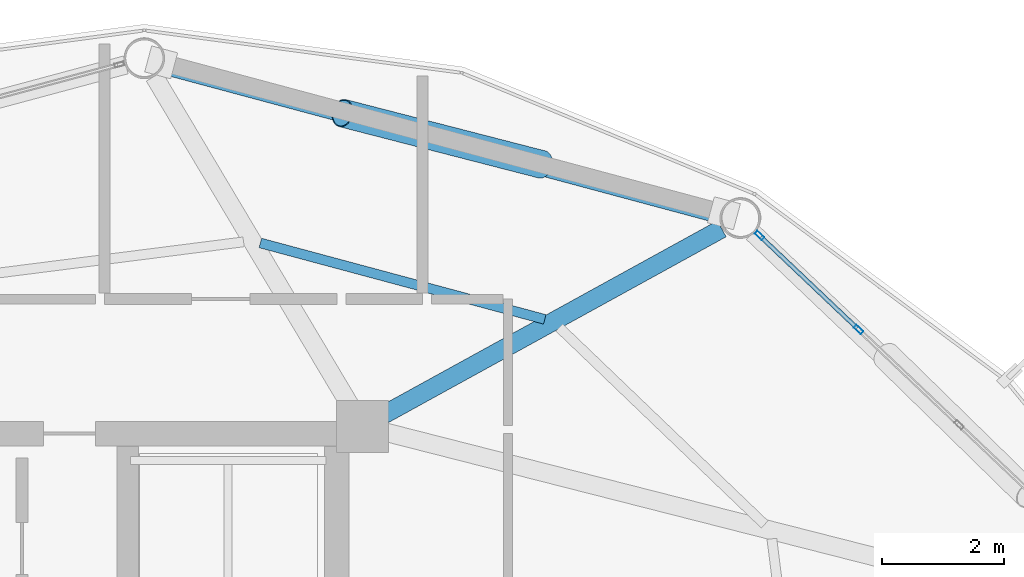
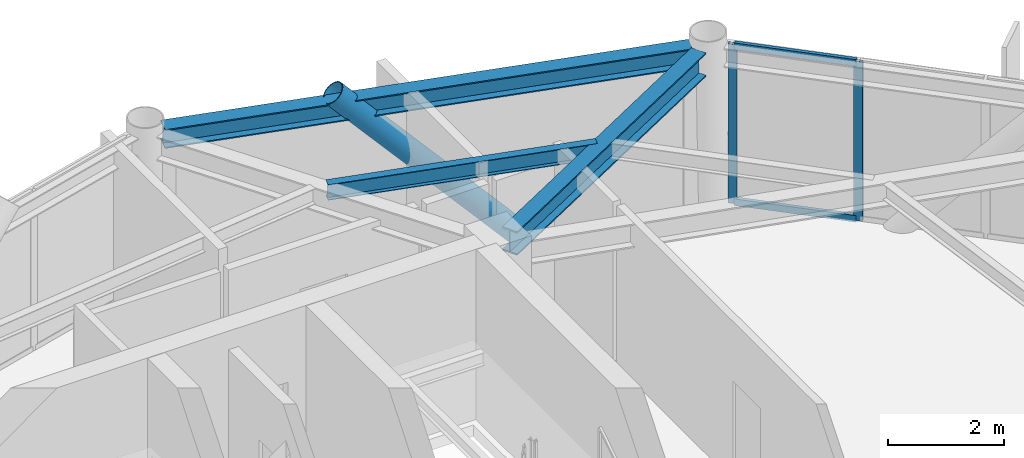
# One storey, part 20 of 28: 5 members, 3 beams, 1 element without a shape of its own.
"""IFC4 building model written with IfcOpenShell, lengths in metres."""

from ifc_helpers import new_model, si_unit, direction, frame, origin, origin_2d, place, context, subcontext, project, spatial, hollow_rectangle, hollow_circle, i_section, extrude, material, layer, layer_set, material_profile, profile_set, type_object, element, aggregate, save


model = new_model("IFC4")

# Units and contexts
model_context = context("Model", 3, precision=1e-05, world=origin(), true_north=direction((0.0, 1.0)))
body_context = subcontext(model_context, "Body", "Model", "MODEL_VIEW")
ifc_project = project(units=[si_unit("LENGTHUNIT", "METRE"), si_unit("AREAUNIT", "SQUARE_METRE"), si_unit("VOLUMEUNIT", "CUBIC_METRE"), si_unit("PLANEANGLEUNIT", "RADIAN"), si_unit("MASSUNIT", "GRAM", prefix="KILO")], contexts=[model_context])

# Site, building, storey
site_placement = place(None, origin())
site = spatial("IfcSite", under=ifc_project, at=site_placement, CompositionType="ELEMENT")
building_placement = place(site_placement, origin())
building = spatial("IfcBuilding", under=site, at=building_placement, Name="Varnakorn Sky Granary", CompositionType="ELEMENT")
storey_placement = place(building_placement, frame((0.0, 0.0, 186.0)))
storey = spatial("IfcBuildingStorey", under=building, at=storey_placement, Name="L46", CompositionType="ELEMENT", Elevation=186.0)

# Beams
ifc_material_1 = material(Name="Steel S355JR", Category="steel")
ifc_material_profile_1 = material_profile(ifc_material_1, i_section(OverallWidth=0.300048828125, OverallDepth=0.5, WebThickness=0.014404296875, FlangeThickness=0.028076171875, at=origin_2d()), Name="HE 500 B")
ifc_profile_set_1 = profile_set([ifc_material_profile_1], Name="Steel S355JR")
beam_type_1 = type_object("IfcBeamType", Name="BM-RAD-Z4", PredefinedType="BEAM", material=ifc_profile_set_1)
beam_1_placement = place(storey_placement, frame((8.77490234375, 12.815185546875, 3.110107421875), z_axis=(0.876178276554, 0.481987165487, 0.0), x_axis=(-0.481987165487, 0.876178276554, 0.0)))
element("IfcBeam", 1, at=beam_1_placement, inside=storey, type_object=beam_type_1, Name="Radial Floor Girder RG03 L46", PredefinedType="BEAM", context=body_context, shape_type="SweptSolid", body=[
    extrude(i_section(OverallWidth=0.300048828125, OverallDepth=0.5, WebThickness=0.014404296875, FlangeThickness=0.028076171875, at=origin_2d()), origin(), (0.0, 0.0, 1.0), 6.30126953125),
])
ifc_material_profile_2 = material_profile(ifc_material_1, i_section(OverallWidth=0.159912109375, OverallDepth=0.330078125, WebThickness=0.007568359375, FlangeThickness=0.011474609375, at=origin_2d()), Name="IPE 330")
ifc_profile_set_2 = profile_set([ifc_material_profile_2], Name="Steel S355JR")
beam_type_2 = type_object("IfcBeamType", Name="BM-SEC-Z4", PredefinedType="BEAM", material=ifc_profile_set_2)
beam_2_placement = place(storey_placement, frame((11.400146484375, 14.3701171875, 3.195068359375), z_axis=(-0.965768246767, 0.259406425396, 0.0), x_axis=(-0.259406425396, -0.965768246767, 0.0)))
element("IfcBeam", 2, at=beam_2_placement, inside=storey, type_object=beam_type_2, Name="Secondary Floor Chord Beam MSB03 L46", PredefinedType="BEAM", context=body_context, shape_type="SweptSolid", body=[
    extrude(i_section(OverallWidth=0.159912109375, OverallDepth=0.330078125, WebThickness=0.007568359375, FlangeThickness=0.011474609375, at=origin_2d()), origin(), (0.0, 0.0, 1.0), 4.81787109375),
])
ifc_material_profile_3 = material_profile(ifc_material_1, i_section(OverallWidth=0.300048828125, OverallDepth=0.39990234375, WebThickness=0.013427734375, FlangeThickness=0.02392578125, at=origin_2d()), Name="HE 400 B")
ifc_profile_set_3 = profile_set([ifc_material_profile_3], Name="Steel S355JR")
beam_type_3 = type_object("IfcBeamType", Name="BM-SPD-Z4", PredefinedType="SPANDREL", material=ifc_profile_set_3)
beam_3_placement = place(storey_placement, frame((14.267822265625, 16.085693359375, 3.159912109375), z_axis=(-0.965778687418, 0.259367551806, 0.0), x_axis=(-0.259367551806, -0.965778687418, 0.0)))
element("IfcBeam", 3, at=beam_3_placement, inside=storey, type_object=beam_type_3, Name="Perimeter Spandrel Ring Beam RB03 L46", PredefinedType="SPANDREL", context=body_context, shape_type="SweptSolid", body=[
    extrude(i_section(OverallWidth=0.300048828125, OverallDepth=0.39990234375, WebThickness=0.013427734375, FlangeThickness=0.02392578125, at=origin_2d()), origin(), (0.0, 0.0, 1.0), 9.4365234375),
])

# Curtain wall, members
ifc_material_2 = material(Name="Anodised Bronze Aluminium Alloy 6063-T6", Category="aluminium")
ifc_layer = layer(ifc_material_2, 0.169921875, Name="Anodised Bronze Aluminium Alloy 6063-T6")
ifc_layer_set = layer_set([ifc_layer], Name="Anodised Bronze Aluminium Alloy 6063-T6")
curtain_wall_type = type_object("IfcCurtainWallType", Name="CW-LAB-1", PredefinedType="USERDEFINED", material=ifc_layer_set)
curtain_wall_placement = place(storey_placement, origin())
curtain_wall = element("IfcCurtainWall", 4, at=curtain_wall_placement, inside=storey, type_object=curtain_wall_type, Name="Unitised Curtain Wall CW5 CW-L46-B02", ObjectType="CURTAIN WALL", PredefinedType="USERDEFINED")
ifc_material_profile_4 = material_profile(ifc_material_2, hollow_rectangle(XDim=0.06494140625, YDim=0.159912109375, WallThickness=0.00341796875, at=origin_2d()), Name="ALU MULL 65x160")
ifc_profile_set_4 = profile_set([ifc_material_profile_4], Name="Anodised Bronze Aluminium Alloy 6063-T6")
member_type_1 = type_object("IfcMemberType", Name="CW-LAB-1-MULL", PredefinedType="MULLION", material=ifc_profile_set_4)
member_1_placement = place(storey_placement, frame((14.91259765625, 15.741943359375, 0.0), z_axis=(0.0, 0.0, 1.0), x_axis=(0.688291544345, 0.725434180325, 0.0)))
member_1 = element("IfcMember", 5, at=member_1_placement, type_object=member_type_1, Name="CW5 mullion 1", PredefinedType="MULLION", context=body_context, shape_type="SweptSolid", body=[
    extrude(hollow_rectangle(XDim=0.06494140625, YDim=0.159912109375, WallThickness=0.00341796875, at=origin_2d()), origin(), (0.0, 0.0, 1.0), 3.360107421875),
])
member_2_placement = place(storey_placement, frame((16.532958984375, 14.204345703125, 0.0), z_axis=(0.0, 0.0, 1.0), x_axis=(0.688291544345, 0.725434180325, 0.0)))
member_2 = element("IfcMember", 6, at=member_2_placement, type_object=member_type_1, Name="CW5 mullion 2", PredefinedType="MULLION", context=body_context, shape_type="SweptSolid", body=[
    extrude(hollow_rectangle(XDim=0.06494140625, YDim=0.159912109375, WallThickness=0.00341796875, at=origin_2d()), origin(), (0.0, 0.0, 1.0), 3.360107421875),
])
ifc_material_profile_5 = material_profile(ifc_material_2, hollow_rectangle(XDim=0.070068359375, YDim=0.139892578125, WallThickness=0.00341796875, at=origin_2d()), Name="ALU TRAN 70x140")
ifc_profile_set_5 = profile_set([ifc_material_profile_5], Name="Anodised Bronze Aluminium Alloy 6063-T6")
member_type_2 = type_object("IfcMemberType", Name="CW-LAB-1-TRAN", PredefinedType="USERDEFINED", material=ifc_profile_set_5)
member_3_placement = place(storey_placement, frame((14.93603515625, 15.719482421875, 0.034912109375), z_axis=(0.725437754945, -0.688287776806, 0.0), x_axis=(0.688287776806, 0.725437754945, 0.0)))
member_3 = element("IfcMember", 7, at=member_3_placement, type_object=member_type_2, Name="CW5 transom 1.1", ObjectType="TRANSOM", PredefinedType="USERDEFINED", context=body_context, shape_type="SweptSolid", body=[
    extrude(hollow_rectangle(XDim=0.070068359375, YDim=0.139892578125, WallThickness=0.00341796875, at=origin_2d()), origin(), (0.0, 0.0, 1.0), 2.168701171875),
])
member_4_placement = place(storey_placement, frame((14.93603515625, 15.719482421875, 3.324951171875), z_axis=(0.725437754945, -0.688287776806, 0.0), x_axis=(0.688287776806, 0.725437754945, 0.0)))
member_4 = element("IfcMember", 8, at=member_4_placement, type_object=member_type_2, Name="CW5 transom 1.2", ObjectType="TRANSOM", PredefinedType="USERDEFINED", context=body_context, shape_type="SweptSolid", body=[
    extrude(hollow_rectangle(XDim=0.070068359375, YDim=0.139892578125, WallThickness=0.00341796875, at=origin_2d()), origin(), (0.0, 0.0, 1.0), 2.168701171875),
])
aggregate(curtain_wall, [member_1, member_2, member_3, member_4])

# Member
ifc_material_3 = material(Name="Steel S460M", Category="steel")
ifc_material_profile_6 = material_profile(ifc_material_3, hollow_circle(Radius=0.228515625, WallThickness=0.01611328125, at=origin_2d()), Name="CHS 457x16")
ifc_profile_set_6 = profile_set([ifc_material_profile_6], Name="Steel S460M")
member_type_3 = type_object("IfcMemberType", Name="MB-DIAG-T3", PredefinedType="BRACE", material=ifc_profile_set_6)
member_5_placement = place(storey_placement, frame((11.35400390625, 16.904541015625, -0.1298828125), z_axis=(-0.659833905546, 0.169870452565, 0.731958500489), x_axis=(-0.249314813435, -0.968422492408, 0.0)))
element("IfcMember", 9, at=member_5_placement, inside=storey, type_object=member_type_3, Name="Perimeter CHS Diagrid Brace DG03 L46", PredefinedType="BRACE", context=body_context, shape_type="SweptSolid", body=[
    extrude(hollow_circle(Radius=0.228515625, WallThickness=0.01611328125, at=origin_2d()), origin(), (0.0, 0.0, 1.0), 4.945556640625),
])

save(model, "model.ifc")
